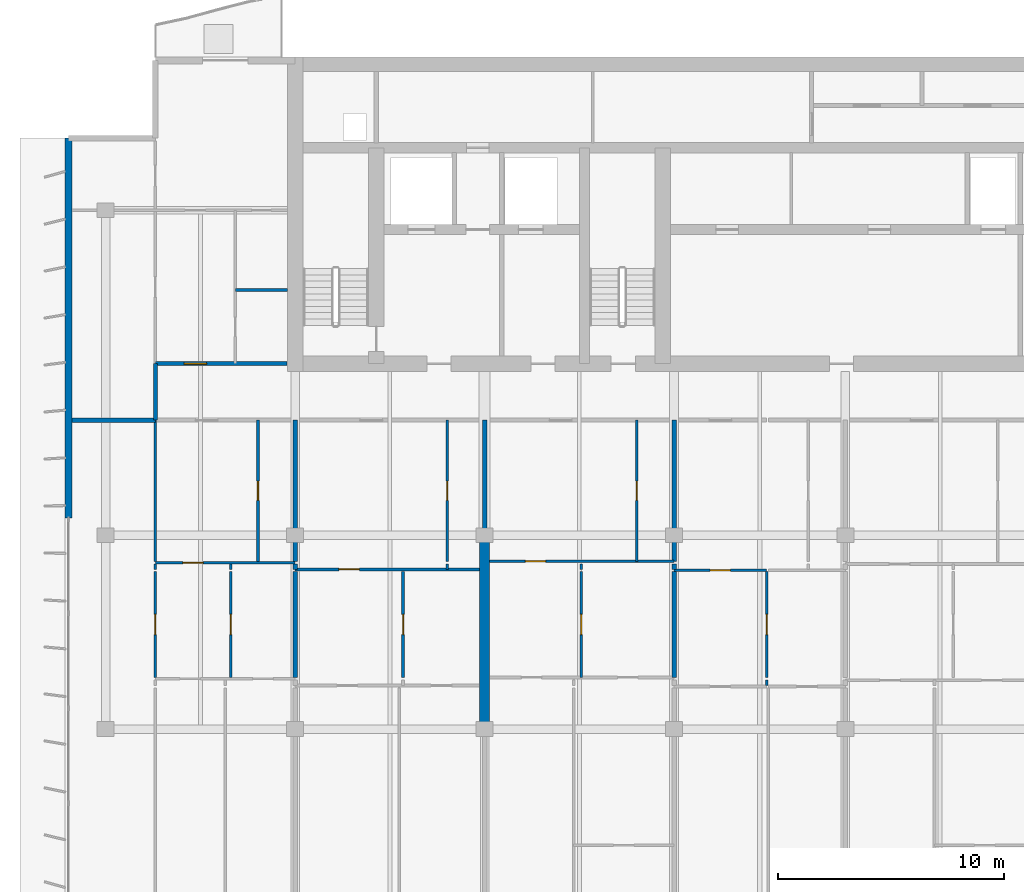
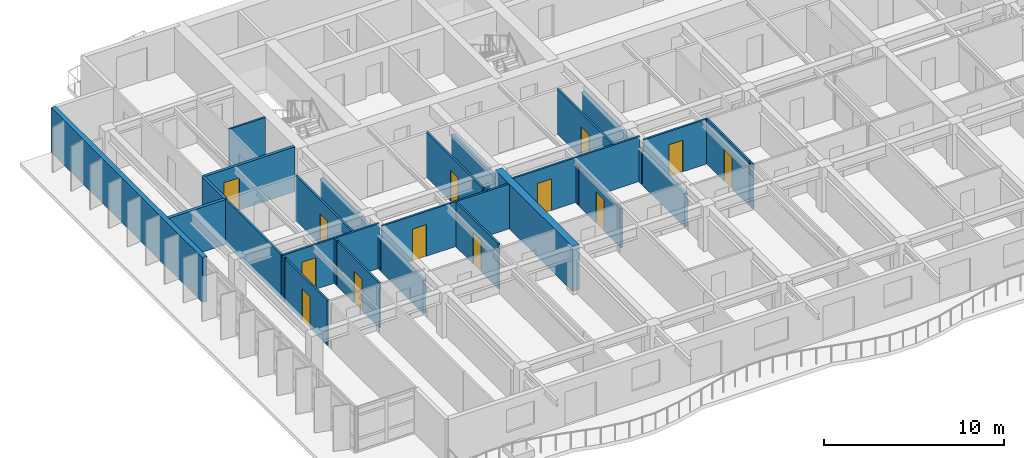
# One storey, part 7 of 17: 31 walls, 13 doors, 13 openings.
"""IFC4 building model written with IfcOpenShell, lengths in metres."""

from ifc_helpers import new_model, si_unit, direction, frame, frame_2d, origin, place, context, subcontext, project, spatial, rectangle, extrude, material, layer, layer_set, type_object, element, fill, save


model = new_model("IFC4")

# Units and contexts
model_context = context("Model", 3, precision=1e-05, world=origin(), true_north=direction((0.0, 1.0)))
body_context = subcontext(model_context, "Body", "Model", "MODEL_VIEW")
ifc_project = project(units=[si_unit("LENGTHUNIT", "METRE"), si_unit("AREAUNIT", "SQUARE_METRE"), si_unit("VOLUMEUNIT", "CUBIC_METRE"), si_unit("PLANEANGLEUNIT", "RADIAN"), si_unit("MASSUNIT", "GRAM", prefix="KILO")], contexts=[model_context])

# Site, building, storey
site_placement = place(None, origin())
site = spatial("IfcSite", under=ifc_project, at=site_placement, CompositionType="ELEMENT")
building_placement = place(site_placement, origin())
building = spatial("IfcBuilding", under=site, at=building_placement, Name="Caelmar Bay Residences", CompositionType="ELEMENT")
storey_placement = place(building_placement, frame((0.0, 0.0, 226.5)))
storey = spatial("IfcBuildingStorey", under=building, at=storey_placement, Name="L63", CompositionType="ELEMENT", Elevation=226.5)

# Walls
ifc_material_1 = material(Name="Concrete f'c 55 MPa (8,000 psi)", Category="concrete")
ifc_layer_1 = layer(ifc_material_1, 0.449951171875)
ifc_layer_set_1 = layer_set([ifc_layer_1], Name="Concrete f'c 55 MPa (8,000 psi)")
wall_type_1 = type_object("IfcWallType", Name="SW-XSLB-450", PredefinedType="SHEAR", material=ifc_layer_set_1)
wall_1_placement = place(storey_placement, frame((26.699951171875, 20.800048828125, 0.0), z_axis=(0.0, 0.0, 1.0), x_axis=(0.0, 1.0, 0.0)))
element("IfcWall", 1, at=wall_1_placement, inside=storey, type_object=wall_type_1, Name="L63 Transverse Cross-Slab Shear Wall W5", PredefinedType="SHEAR", context=body_context, shape_type="SweptSolid", body=[
    extrude(rectangle(XDim=8.599853515625, YDim=0.449951171875, at=frame_2d((4.2998046875, 0.0))), origin(), (0.0, 0.0, 1.0), 3.050048828125),
])
ifc_material_2 = material(Name="Double-stud acoustic fire-rated gypsum partition 180 mm")
ifc_layer_2 = layer(ifc_material_2, 0.179931640625)
ifc_layer_set_2 = layer_set([ifc_layer_2], Name="Double-stud acoustic fire-rated gypsum partition 180 mm")
wall_type_2 = type_object("IfcWallType", Name="W-COR-200", PredefinedType="PARTITIONING", material=ifc_layer_set_2)
wall_2_placement = place(storey_placement, frame((12.10009765625, 34.5048828125, 0.0), z_axis=(0.0, 0.0, 1.0), x_axis=(0.0, 1.0, 0.0)))
element("IfcWall", 2, at=wall_2_placement, inside=storey, type_object=wall_type_2, Name="L63 Partition Wall V006", PredefinedType="PARTITIONING", context=body_context, shape_type="SweptSolid", body=[
    extrude(rectangle(XDim=2.4951171875, YDim=0.179931640625, at=frame_2d((1.24755859375, 0.0))), origin(), (0.0, 0.0, 1.0), 3.050048828125),
])

# Wall, opening, door
wall_3_placement = place(storey_placement, frame((12.10009765625, 37.0, 0.0), z_axis=(0.0, 0.0, 1.0), x_axis=(1.0, 0.0, 0.0)))
wall_3 = element("IfcWall", 3, at=wall_3_placement, inside=storey, type_object=wall_type_2, Name="L63 Partition Wall H123", PredefinedType="PARTITIONING", context=body_context, shape_type="SweptSolid", body=[
    extrude(rectangle(XDim=5.844970703125, YDim=0.179931640625, at=frame_2d((2.92236328125, 0.0))), origin(), (0.0, 0.0, 1.0), 3.050048828125),
])
opening_1_placement = place(wall_3_placement, frame((1.27490234375, 0.0, 0.0)))
opening_1 = element("IfcOpeningElement", 4, at=opening_1_placement, cuts=wall_3, Name="Opening D-L63-167", PredefinedType="OPENING", context=body_context, shape_type="SweptSolid", body=[
    extrude(rectangle(XDim=1.0, YDim=2.199951171875, at=frame_2d((0.5, 1.10009765625))), frame((0.0, 0.099853515625, 0.0), z_axis=(0.0, -1.0, 0.0), x_axis=(1.0, 0.0, 0.0)), (0.0, 0.0, 1.0), 0.199951171875),
])
ifc_material_3 = material(Name="Fire-rated steel and walnut architectural door assembly", Category="steel")
ifc_layer_3 = layer(ifc_material_3, 0.050048828125)
ifc_layer_set_3 = layer_set([ifc_layer_3], Name="Fire-rated steel and walnut architectural door assembly")
door_type_1 = type_object("IfcDoorType", Name="D-UNIT-1000", OperationType="NOTDEFINED", PredefinedType="DOOR", material=ifc_layer_set_3)
door_1_placement = place(opening_1_placement, origin())
door_1 = element("IfcDoor", 5, at=door_1_placement, inside=storey, type_object=door_type_1, Name="L63 Residence WA Kitchen Door", OperationType="SINGLE_SWING_RIGHT", OverallHeight=2.199951171875, OverallWidth=1.0, PredefinedType="DOOR", context=body_context, shape_type="SweptSolid", body=[
    extrude(rectangle(XDim=1.0, YDim=2.199951171875, at=frame_2d((0.5, 1.10009765625))), frame((0.0, 0.02490234375, 0.0), z_axis=(0.0, -1.0, 0.0), x_axis=(1.0, 0.0, 0.0)), (0.0, 0.0, 1.0), 0.050048828125),
])
fill(opening_1, door_1)

# Wall
ifc_material_4 = material(Name="Precast concrete f'c 40 MPa (6,000 psi)", Category="concrete")
ifc_layer_4 = layer(ifc_material_4, 0.300048828125)
ifc_layer_set_4 = layer_set([ifc_layer_4], Name="Precast concrete f'c 40 MPa (6,000 psi)")
wall_type_3 = type_object("IfcWallType", Name="W-EXT-300", PredefinedType="STANDARD", material=ifc_layer_set_4)
wall_4_placement = place(storey_placement, frame((8.25, 30.14990234375, 0.0), z_axis=(0.0, 0.0, 1.0), x_axis=(0.0, 1.0, 0.0)))
element("IfcWall", 6, at=wall_4_placement, inside=storey, type_object=wall_type_3, Name="L63 West Rear Exterior Wall", PredefinedType="STANDARD", context=body_context, shape_type="SweptSolid", body=[
    extrude(rectangle(XDim=16.85009765625, YDim=0.300048828125, at=frame_2d((8.425048828125, 0.0))), origin(), (0.0, 0.0, 1.0), 3.050048828125),
])

# Wall, opening, door
ifc_material_5 = material(Name="Acoustic metal-stud gypsum partition 120 mm")
ifc_layer_5 = layer(ifc_material_5, 0.1201171875)
ifc_layer_set_5 = layer_set([ifc_layer_5], Name="Acoustic metal-stud gypsum partition 120 mm")
wall_type_4 = type_object("IfcWallType", Name="W-PRT-120", PredefinedType="PARTITIONING", material=ifc_layer_set_5)
wall_5_placement = place(storey_placement, frame((12.10009765625, 23.090087890625, 0.0), z_axis=(0.0, 0.0, 1.0), x_axis=(0.0, 1.0, 0.0)))
wall_5 = element("IfcWall", 7, at=wall_5_placement, inside=storey, type_object=wall_type_4, Name="L63 Partition Wall V003", PredefinedType="PARTITIONING", context=body_context, shape_type="SweptSolid", body=[
    extrude(rectangle(XDim=4.68994140625, YDim=0.1201171875, at=frame_2d((2.344970703125, 0.0))), origin(), (0.0, 0.0, 1.0), 3.050048828125),
])
opening_2_placement = place(wall_5_placement, frame((1.89501953125, 0.0, 0.0)))
opening_2 = element("IfcOpeningElement", 8, at=opening_2_placement, cuts=wall_5, Name="Opening D-L63-165", PredefinedType="OPENING", context=body_context, shape_type="SweptSolid", body=[
    extrude(rectangle(XDim=0.89990234375, YDim=2.14990234375, at=frame_2d((0.449951171875, 1.074951171875))), frame((0.0, 0.070068359375, 0.0), z_axis=(0.0, -1.0, 0.0), x_axis=(1.0, 0.0, 0.0)), (0.0, 0.0, 1.0), 0.14013671875),
])
ifc_material_6 = material(Name="Solid walnut timber interior door leaf and frame", Category="wood")
ifc_layer_6 = layer(ifc_material_6, 0.050048828125)
ifc_layer_set_6 = layer_set([ifc_layer_6], Name="Solid walnut timber interior door leaf and frame")
door_type_2 = type_object("IfcDoorType", Name="D-ROOM-900", OperationType="NOTDEFINED", PredefinedType="DOOR", material=ifc_layer_set_6)
door_2_placement = place(opening_2_placement, origin())
door_2 = element("IfcDoor", 9, at=door_2_placement, inside=storey, type_object=door_type_2, Name="L63 Residence 01 Penthouse West Salon Door", OperationType="SINGLE_SWING_RIGHT", OverallHeight=2.14990234375, OverallWidth=0.89990234375, PredefinedType="DOOR", context=body_context, shape_type="SweptSolid", body=[
    extrude(rectangle(XDim=0.89990234375, YDim=2.14990234375, at=frame_2d((0.449951171875, 1.074951171875))), frame((0.0, 0.02490234375, 0.0), z_axis=(0.0, -1.0, 0.0), x_axis=(1.0, 0.0, 0.0)), (0.0, 0.0, 1.0), 0.050048828125),
])
fill(opening_2, door_2)

# Walls
wall_6_placement = place(storey_placement, frame((12.10009765625, 27.8798828125, 0.0), z_axis=(0.0, 0.0, 1.0), x_axis=(0.0, 1.0, 0.0)))
element("IfcWall", 10, at=wall_6_placement, inside=storey, type_object=wall_type_4, Name="L63 Partition Wall V004", PredefinedType="PARTITIONING", context=body_context, shape_type="SweptSolid", body=[
    extrude(rectangle(XDim=0.240234375, YDim=0.1201171875, at=frame_2d((0.1201171875, 0.0))), origin(), (0.0, 0.0, 1.0), 3.050048828125),
])
wall_7_placement = place(storey_placement, frame((12.10009765625, 28.239990234375, 0.0), z_axis=(0.0, 0.0, 1.0), x_axis=(0.0, 1.0, 0.0)))
element("IfcWall", 11, at=wall_7_placement, inside=storey, type_object=wall_type_4, Name="L63 Partition Wall V005", PredefinedType="PARTITIONING", context=body_context, shape_type="SweptSolid", body=[
    extrude(rectangle(XDim=6.260009765625, YDim=0.1201171875, at=frame_2d((3.1298828125, 0.0))), origin(), (0.0, 0.0, 1.0), 3.050048828125),
])

# Wall, opening, door
wall_8_placement = place(storey_placement, frame((15.447998046875, 23.090087890625, 0.0), z_axis=(0.0, 0.0, 1.0), x_axis=(0.0, 1.0, 0.0)))
wall_8 = element("IfcWall", 12, at=wall_8_placement, inside=storey, type_object=wall_type_4, Name="L63 Partition Wall V011", PredefinedType="PARTITIONING", context=body_context, shape_type="SweptSolid", body=[
    extrude(rectangle(XDim=4.68994140625, YDim=0.1201171875, at=frame_2d((2.344970703125, 0.0))), origin(), (0.0, 0.0, 1.0), 3.050048828125),
])
opening_3_placement = place(wall_8_placement, frame((1.89501953125, 0.0, 0.0)))
opening_3 = element("IfcOpeningElement", 13, at=opening_3_placement, cuts=wall_8, Name="Opening D-L63-125", PredefinedType="OPENING", context=body_context, shape_type="SweptSolid", body=[
    extrude(rectangle(XDim=0.89990234375, YDim=2.14990234375, at=frame_2d((0.449951171875, 1.074951171875))), frame((0.0, 0.070068359375, 0.0), z_axis=(0.0, -1.0, 0.0), x_axis=(1.0, 0.0, 0.0)), (0.0, 0.0, 1.0), 0.14013671875),
])
door_3_placement = place(opening_3_placement, origin())
door_3 = element("IfcDoor", 14, at=door_3_placement, inside=storey, type_object=door_type_2, Name="L63 Residence 01 Study Door", OperationType="SINGLE_SWING_RIGHT", OverallHeight=2.14990234375, OverallWidth=0.89990234375, PredefinedType="DOOR", context=body_context, shape_type="SweptSolid", body=[
    extrude(rectangle(XDim=0.89990234375, YDim=2.14990234375, at=frame_2d((0.449951171875, 1.074951171875))), frame((0.0, 0.02490234375, 0.0), z_axis=(0.0, -1.0, 0.0), x_axis=(1.0, 0.0, 0.0)), (0.0, 0.0, 1.0), 0.050048828125),
])
fill(opening_3, door_3)

# Wall
wall_9_placement = place(storey_placement, frame((15.447998046875, 27.8798828125, 0.0), z_axis=(0.0, 0.0, 1.0), x_axis=(0.0, 1.0, 0.0)))
element("IfcWall", 15, at=wall_9_placement, inside=storey, type_object=wall_type_4, Name="L63 Partition Wall V012", PredefinedType="PARTITIONING", context=body_context, shape_type="SweptSolid", body=[
    extrude(rectangle(XDim=0.240234375, YDim=0.1201171875, at=frame_2d((0.1201171875, 0.0))), origin(), (0.0, 0.0, 1.0), 3.050048828125),
])

# Wall, opening, door
wall_10_placement = place(storey_placement, frame((16.64990234375, 28.239990234375, 0.0), z_axis=(0.0, 0.0, 1.0), x_axis=(0.0, 1.0, 0.0)))
wall_10 = element("IfcWall", 16, at=wall_10_placement, inside=storey, type_object=wall_type_4, Name="L63 Partition Wall V014", PredefinedType="PARTITIONING", context=body_context, shape_type="SweptSolid", body=[
    extrude(rectangle(XDim=6.260009765625, YDim=0.1201171875, at=frame_2d((3.1298828125, 0.0))), origin(), (0.0, 0.0, 1.0), 3.050048828125),
])
opening_4_placement = place(wall_10_placement, frame((2.705078125, 0.0, 0.0)))
opening_4 = element("IfcOpeningElement", 17, at=opening_4_placement, cuts=wall_10, Name="Opening D-L63-123", PredefinedType="OPENING", context=body_context, shape_type="SweptSolid", body=[
    extrude(rectangle(XDim=0.85009765625, YDim=2.10009765625, at=frame_2d((0.425048828125, 1.050048828125))), frame((0.0, 0.070068359375, 0.0), z_axis=(0.0, -1.0, 0.0), x_axis=(1.0, 0.0, 0.0)), (0.0, 0.0, 1.0), 0.14013671875),
])
ifc_layer_7 = layer(ifc_material_6, 0.050048828125)
ifc_layer_set_7 = layer_set([ifc_layer_7], Name="Solid walnut timber interior door leaf and frame")
door_type_3 = type_object("IfcDoorType", Name="D-BATH-850", OperationType="NOTDEFINED", PredefinedType="DOOR", material=ifc_layer_set_7)
door_4_placement = place(opening_4_placement, origin())
door_4 = element("IfcDoor", 18, at=door_4_placement, inside=storey, type_object=door_type_3, Name="L63 Residence 01 Bathroom Door", OperationType="SINGLE_SWING_RIGHT", OverallHeight=2.10009765625, OverallWidth=0.85009765625, PredefinedType="DOOR", context=body_context, shape_type="SweptSolid", body=[
    extrude(rectangle(XDim=0.85009765625, YDim=2.10009765625, at=frame_2d((0.425048828125, 1.050048828125))), frame((0.0, 0.02490234375, 0.0), z_axis=(0.0, -1.0, 0.0), x_axis=(1.0, 0.0, 0.0)), (0.0, 0.0, 1.0), 0.050048828125),
])
fill(opening_4, door_4)

wall_11_placement = place(storey_placement, frame((23.0859375, 23.090087890625, 0.0), z_axis=(0.0, 0.0, 1.0), x_axis=(0.0, 1.0, 0.0)))
wall_11 = element("IfcWall", 19, at=wall_11_placement, inside=storey, type_object=wall_type_4, Name="L63 Partition Wall V025", PredefinedType="PARTITIONING", context=body_context, shape_type="SweptSolid", body=[
    extrude(rectangle(XDim=4.68994140625, YDim=0.1201171875, at=frame_2d((2.344970703125, 0.0))), origin(), (0.0, 0.0, 1.0), 3.050048828125),
])
opening_5_placement = place(wall_11_placement, frame((1.89501953125, 0.0, 0.0)))
opening_5 = element("IfcOpeningElement", 20, at=opening_5_placement, cuts=wall_11, Name="Opening D-L63-131", PredefinedType="OPENING", context=body_context, shape_type="SweptSolid", body=[
    extrude(rectangle(XDim=0.89990234375, YDim=2.14990234375, at=frame_2d((0.449951171875, 1.074951171875))), frame((0.0, 0.070068359375, 0.0), z_axis=(0.0, -1.0, 0.0), x_axis=(1.0, 0.0, 0.0)), (0.0, 0.0, 1.0), 0.14013671875),
])
door_5_placement = place(opening_5_placement, origin())
door_5 = element("IfcDoor", 21, at=door_5_placement, inside=storey, type_object=door_type_2, Name="L63 Residence 02 Study Door", OperationType="SINGLE_SWING_RIGHT", OverallHeight=2.14990234375, OverallWidth=0.89990234375, PredefinedType="DOOR", context=body_context, shape_type="SweptSolid", body=[
    extrude(rectangle(XDim=0.89990234375, YDim=2.14990234375, at=frame_2d((0.449951171875, 1.074951171875))), frame((0.0, 0.02490234375, 0.0), z_axis=(0.0, -1.0, 0.0), x_axis=(1.0, 0.0, 0.0)), (0.0, 0.0, 1.0), 0.050048828125),
])
fill(opening_5, door_5)

# Wall
wall_12_placement = place(storey_placement, frame((25.050048828125, 27.8798828125, 0.0), z_axis=(0.0, 0.0, 1.0), x_axis=(0.0, 1.0, 0.0)))
element("IfcWall", 22, at=wall_12_placement, inside=storey, type_object=wall_type_4, Name="L63 Partition Wall V026", PredefinedType="PARTITIONING", context=body_context, shape_type="SweptSolid", body=[
    extrude(rectangle(XDim=0.240234375, YDim=0.1201171875, at=frame_2d((0.1201171875, 0.0))), origin(), (0.0, 0.0, 1.0), 3.050048828125),
])

# Wall, opening, door
wall_13_placement = place(storey_placement, frame((25.050048828125, 28.239990234375, 0.0), z_axis=(0.0, 0.0, 1.0), x_axis=(0.0, 1.0, 0.0)))
wall_13 = element("IfcWall", 23, at=wall_13_placement, inside=storey, type_object=wall_type_4, Name="L63 Partition Wall V027", PredefinedType="PARTITIONING", context=body_context, shape_type="SweptSolid", body=[
    extrude(rectangle(XDim=6.260009765625, YDim=0.1201171875, at=frame_2d((3.1298828125, 0.0))), origin(), (0.0, 0.0, 1.0), 3.050048828125),
])
opening_6_placement = place(wall_13_placement, frame((2.705078125, 0.0, 0.0)))
opening_6 = element("IfcOpeningElement", 24, at=opening_6_placement, cuts=wall_13, Name="Opening D-L63-129", PredefinedType="OPENING", context=body_context, shape_type="SweptSolid", body=[
    extrude(rectangle(XDim=0.85009765625, YDim=2.10009765625, at=frame_2d((0.425048828125, 1.050048828125))), frame((0.0, 0.070068359375, 0.0), z_axis=(0.0, -1.0, 0.0), x_axis=(1.0, 0.0, 0.0)), (0.0, 0.0, 1.0), 0.14013671875),
])
door_6_placement = place(opening_6_placement, origin())
door_6 = element("IfcDoor", 25, at=door_6_placement, inside=storey, type_object=door_type_3, Name="L63 Residence 02 Bathroom Door", OperationType="SINGLE_SWING_RIGHT", OverallHeight=2.10009765625, OverallWidth=0.85009765625, PredefinedType="DOOR", context=body_context, shape_type="SweptSolid", body=[
    extrude(rectangle(XDim=0.85009765625, YDim=2.10009765625, at=frame_2d((0.425048828125, 1.050048828125))), frame((0.0, 0.02490234375, 0.0), z_axis=(0.0, -1.0, 0.0), x_axis=(1.0, 0.0, 0.0)), (0.0, 0.0, 1.0), 0.050048828125),
])
fill(opening_6, door_6)

wall_14_placement = place(storey_placement, frame((30.986083984375, 23.090087890625, 0.0), z_axis=(0.0, 0.0, 1.0), x_axis=(0.0, 1.0, 0.0)))
wall_14 = element("IfcWall", 26, at=wall_14_placement, inside=storey, type_object=wall_type_4, Name="L63 Partition Wall V037", PredefinedType="PARTITIONING", context=body_context, shape_type="SweptSolid", body=[
    extrude(rectangle(XDim=4.68994140625, YDim=0.1201171875, at=frame_2d((2.344970703125, 0.0))), origin(), (0.0, 0.0, 1.0), 2.62890625),
])
opening_7_placement = place(wall_14_placement, frame((1.89501953125, 0.0, 0.0)))
opening_7 = element("IfcOpeningElement", 27, at=opening_7_placement, cuts=wall_14, Name="Opening D-L63-137", PredefinedType="OPENING", context=body_context, shape_type="SweptSolid", body=[
    extrude(rectangle(XDim=0.89990234375, YDim=2.14990234375, at=frame_2d((0.449951171875, 1.074951171875))), frame((0.0, 0.070068359375, 0.0), z_axis=(0.0, -1.0, 0.0), x_axis=(1.0, 0.0, 0.0)), (0.0, 0.0, 1.0), 0.14013671875),
])
door_7_placement = place(opening_7_placement, origin())
door_7 = element("IfcDoor", 28, at=door_7_placement, inside=storey, type_object=door_type_2, Name="L63 Residence 03 Study Door", OperationType="SINGLE_SWING_RIGHT", OverallHeight=2.14990234375, OverallWidth=0.89990234375, PredefinedType="DOOR", context=body_context, shape_type="SweptSolid", body=[
    extrude(rectangle(XDim=0.89990234375, YDim=2.14990234375, at=frame_2d((0.449951171875, 1.074951171875))), frame((0.0, 0.02490234375, 0.0), z_axis=(0.0, -1.0, 0.0), x_axis=(1.0, 0.0, 0.0)), (0.0, 0.0, 1.0), 0.050048828125),
])
fill(opening_7, door_7)

# Wall
wall_15_placement = place(storey_placement, frame((30.986083984375, 27.8798828125, 0.0), z_axis=(0.0, 0.0, 1.0), x_axis=(0.0, 1.0, 0.0)))
element("IfcWall", 29, at=wall_15_placement, inside=storey, type_object=wall_type_4, Name="L63 Partition Wall V038", PredefinedType="PARTITIONING", context=body_context, shape_type="SweptSolid", body=[
    extrude(rectangle(XDim=0.240234375, YDim=0.1201171875, at=frame_2d((0.1201171875, 0.0))), origin(), (0.0, 0.0, 1.0), 2.62890625),
])

# Wall, opening, door
wall_16_placement = place(storey_placement, frame((33.449951171875, 28.239990234375, 0.0), z_axis=(0.0, 0.0, 1.0), x_axis=(0.0, 1.0, 0.0)))
wall_16 = element("IfcWall", 30, at=wall_16_placement, inside=storey, type_object=wall_type_4, Name="L63 Partition Wall V040", PredefinedType="PARTITIONING", context=body_context, shape_type="SweptSolid", body=[
    extrude(rectangle(XDim=6.260009765625, YDim=0.1201171875, at=frame_2d((3.1298828125, 0.0))), origin(), (0.0, 0.0, 1.0), 3.050048828125),
])
opening_8_placement = place(wall_16_placement, frame((2.705078125, 0.0, 0.0)))
opening_8 = element("IfcOpeningElement", 31, at=opening_8_placement, cuts=wall_16, Name="Opening D-L63-135", PredefinedType="OPENING", context=body_context, shape_type="SweptSolid", body=[
    extrude(rectangle(XDim=0.85009765625, YDim=2.10009765625, at=frame_2d((0.425048828125, 1.050048828125))), frame((0.0, 0.070068359375, 0.0), z_axis=(0.0, -1.0, 0.0), x_axis=(1.0, 0.0, 0.0)), (0.0, 0.0, 1.0), 0.14013671875),
])
door_8_placement = place(opening_8_placement, origin())
door_8 = element("IfcDoor", 32, at=door_8_placement, inside=storey, type_object=door_type_3, Name="L63 Residence 03 Bathroom Door", OperationType="SINGLE_SWING_RIGHT", OverallHeight=2.10009765625, OverallWidth=0.85009765625, PredefinedType="DOOR", context=body_context, shape_type="SweptSolid", body=[
    extrude(rectangle(XDim=0.85009765625, YDim=2.10009765625, at=frame_2d((0.425048828125, 1.050048828125))), frame((0.0, 0.02490234375, 0.0), z_axis=(0.0, -1.0, 0.0), x_axis=(1.0, 0.0, 0.0)), (0.0, 0.0, 1.0), 0.050048828125),
])
fill(opening_8, door_8)

# Wall
wall_17_placement = place(storey_placement, frame((39.2041015625, 22.72998046875, 0.0), z_axis=(0.0, 0.0, 1.0), x_axis=(0.0, 1.0, 0.0)))
element("IfcWall", 33, at=wall_17_placement, inside=storey, type_object=wall_type_4, Name="L63 Partition Wall V047", PredefinedType="PARTITIONING", context=body_context, shape_type="SweptSolid", body=[
    extrude(rectangle(XDim=0.239990234375, YDim=0.1201171875, at=frame_2d((0.1201171875, 0.0))), origin(), (0.0, 0.0, 1.0), 3.050048828125),
])

# Wall, opening, door
wall_18_placement = place(storey_placement, frame((39.2041015625, 23.090087890625, 0.0), z_axis=(0.0, 0.0, 1.0), x_axis=(0.0, 1.0, 0.0)))
wall_18 = element("IfcWall", 34, at=wall_18_placement, inside=storey, type_object=wall_type_4, Name="L63 Partition Wall V048", PredefinedType="PARTITIONING", context=body_context, shape_type="SweptSolid", body=[
    extrude(rectangle(XDim=4.68994140625, YDim=0.1201171875, at=frame_2d((2.344970703125, 0.0))), origin(), (0.0, 0.0, 1.0), 3.050048828125),
])
opening_9_placement = place(wall_18_placement, frame((1.89501953125, 0.0, 0.0)))
opening_9 = element("IfcOpeningElement", 35, at=opening_9_placement, cuts=wall_18, Name="Opening D-L63-144", PredefinedType="OPENING", context=body_context, shape_type="SweptSolid", body=[
    extrude(rectangle(XDim=0.89990234375, YDim=2.14990234375, at=frame_2d((0.449951171875, 1.074951171875))), frame((0.0, 0.070068359375, 0.0), z_axis=(0.0, -1.0, 0.0), x_axis=(1.0, 0.0, 0.0)), (0.0, 0.0, 1.0), 0.14013671875),
])
door_9_placement = place(opening_9_placement, origin())
door_9 = element("IfcDoor", 36, at=door_9_placement, inside=storey, type_object=door_type_2, Name="L63 Residence 04 Study Door", OperationType="SINGLE_SWING_LEFT", OverallHeight=2.14990234375, OverallWidth=0.89990234375, PredefinedType="DOOR", context=body_context, shape_type="SweptSolid", body=[
    extrude(rectangle(XDim=0.89990234375, YDim=2.14990234375, at=frame_2d((0.449951171875, 1.074951171875))), frame((0.0, 0.02490234375, 0.0), z_axis=(0.0, -1.0, 0.0), x_axis=(1.0, 0.0, 0.0)), (0.0, 0.0, 1.0), 0.050048828125),
])
fill(opening_9, door_9)

wall_19_placement = place(storey_placement, frame((35.10009765625, 27.840087890625, 0.0), z_axis=(0.0, 0.0, 1.0), x_axis=(1.0, 0.0, 0.0)))
wall_19 = element("IfcWall", 37, at=wall_19_placement, inside=storey, type_object=wall_type_4, Name="L63 Partition Wall H112", PredefinedType="PARTITIONING", context=body_context, shape_type="SweptSolid", body=[
    extrude(rectangle(XDim=4.10400390625, YDim=0.1201171875, at=frame_2d((2.052001953125, 0.0))), origin(), (0.0, 0.0, 1.0), 3.050048828125),
])
opening_10_placement = place(wall_19_placement, frame((1.60205078125, 0.0, 0.0)))
opening_10 = element("IfcOpeningElement", 38, at=opening_10_placement, cuts=wall_19, Name="Opening D-L63-143", PredefinedType="OPENING", context=body_context, shape_type="SweptSolid", body=[
    extrude(rectangle(XDim=0.89990234375, YDim=2.14990234375, at=frame_2d((0.449951171875, 1.074951171875))), frame((0.0, 0.070068359375, 0.0), z_axis=(0.0, -1.0, 0.0), x_axis=(1.0, 0.0, 0.0)), (0.0, 0.0, 1.0), 0.14013671875),
])
door_10_placement = place(opening_10_placement, origin())
door_10 = element("IfcDoor", 39, at=door_10_placement, inside=storey, type_object=door_type_2, Name="L63 Residence 04 Kitchen Door", OperationType="SINGLE_SWING_RIGHT", OverallHeight=2.14990234375, OverallWidth=0.89990234375, PredefinedType="DOOR", context=body_context, shape_type="SweptSolid", body=[
    extrude(rectangle(XDim=0.89990234375, YDim=2.14990234375, at=frame_2d((0.449951171875, 1.074951171875))), frame((0.0, 0.02490234375, 0.0), z_axis=(0.0, -1.0, 0.0), x_axis=(1.0, 0.0, 0.0)), (0.0, 0.0, 1.0), 0.050048828125),
])
fill(opening_10, door_10)

wall_20_placement = place(storey_placement, frame((18.300048828125, 27.8798828125, 0.0), z_axis=(0.0, 0.0, 1.0), x_axis=(1.0, 0.0, 0.0)))
wall_20 = element("IfcWall", 40, at=wall_20_placement, inside=storey, type_object=wall_type_4, Name="L63 Partition Wall H114", PredefinedType="PARTITIONING", context=body_context, shape_type="SweptSolid", body=[
    extrude(rectangle(XDim=8.179931640625, YDim=0.1201171875, at=frame_2d((4.08984375, 0.0))), origin(), (0.0, 0.0, 1.0), 3.050048828125),
])
opening_11_placement = place(wall_20_placement, frame((1.943115234375, 0.0, 0.0)))
opening_11 = element("IfcOpeningElement", 41, at=opening_11_placement, cuts=wall_20, Name="Opening D-L63-130", PredefinedType="OPENING", context=body_context, shape_type="SweptSolid", body=[
    extrude(rectangle(XDim=0.89990234375, YDim=2.14990234375, at=frame_2d((0.449951171875, 1.074951171875))), frame((0.0, 0.070068359375, 0.0), z_axis=(0.0, -1.0, 0.0), x_axis=(1.0, 0.0, 0.0)), (0.0, 0.0, 1.0), 0.14013671875),
])
door_11_placement = place(opening_11_placement, origin())
door_11 = element("IfcDoor", 42, at=door_11_placement, inside=storey, type_object=door_type_2, Name="L63 Residence 02 Kitchen Door", OperationType="SINGLE_SWING_LEFT", OverallHeight=2.14990234375, OverallWidth=0.89990234375, PredefinedType="DOOR", context=body_context, shape_type="SweptSolid", body=[
    extrude(rectangle(XDim=0.89990234375, YDim=2.14990234375, at=frame_2d((0.449951171875, 1.074951171875))), frame((0.0, 0.02490234375, 0.0), z_axis=(0.0, -1.0, 0.0), x_axis=(1.0, 0.0, 0.0)), (0.0, 0.0, 1.0), 0.050048828125),
])
fill(opening_11, door_11)

wall_21_placement = place(storey_placement, frame((12.10009765625, 28.179931640625, 0.0), z_axis=(0.0, 0.0, 1.0), x_axis=(1.0, 0.0, 0.0)))
wall_21 = element("IfcWall", 43, at=wall_21_placement, inside=storey, type_object=wall_type_4, Name="L63 Partition Wall H116", PredefinedType="PARTITIONING", context=body_context, shape_type="SweptSolid", body=[
    extrude(rectangle(XDim=6.199951171875, YDim=0.1201171875, at=frame_2d((3.10009765625, 0.0))), origin(), (0.0, 0.0, 1.0), 3.050048828125),
])
opening_12_placement = place(wall_21_placement, frame((1.22412109375, 0.0, 0.0)))
opening_12 = element("IfcOpeningElement", 44, at=opening_12_placement, cuts=wall_21, Name="Opening D-L63-124", PredefinedType="OPENING", context=body_context, shape_type="SweptSolid", body=[
    extrude(rectangle(XDim=0.89990234375, YDim=2.14990234375, at=frame_2d((0.449951171875, 1.074951171875))), frame((0.0, 0.070068359375, 0.0), z_axis=(0.0, -1.0, 0.0), x_axis=(1.0, 0.0, 0.0)), (0.0, 0.0, 1.0), 0.14013671875),
])
door_12_placement = place(opening_12_placement, origin())
door_12 = element("IfcDoor", 45, at=door_12_placement, inside=storey, type_object=door_type_2, Name="L63 Residence 01 Kitchen Door", OperationType="SINGLE_SWING_LEFT", OverallHeight=2.14990234375, OverallWidth=0.89990234375, PredefinedType="DOOR", context=body_context, shape_type="SweptSolid", body=[
    extrude(rectangle(XDim=0.89990234375, YDim=2.14990234375, at=frame_2d((0.449951171875, 1.074951171875))), frame((0.0, 0.02490234375, 0.0), z_axis=(0.0, -1.0, 0.0), x_axis=(1.0, 0.0, 0.0)), (0.0, 0.0, 1.0), 0.050048828125),
])
fill(opening_12, door_12)

wall_22_placement = place(storey_placement, frame((26.919921875, 28.239990234375, 0.0), z_axis=(0.0, 0.0, 1.0), x_axis=(1.0, 0.0, 0.0)))
wall_22 = element("IfcWall", 46, at=wall_22_placement, inside=storey, type_object=wall_type_4, Name="L63 Partition Wall H118", PredefinedType="PARTITIONING", context=body_context, shape_type="SweptSolid", body=[
    extrude(rectangle(XDim=8.18017578125, YDim=0.1201171875, at=frame_2d((4.090087890625, 0.0))), origin(), (0.0, 0.0, 1.0), 3.050048828125),
])
opening_13_placement = place(wall_22_placement, frame((1.5830078125, 0.0, 0.0)))
opening_13 = element("IfcOpeningElement", 47, at=opening_13_placement, cuts=wall_22, Name="Opening D-L63-136", PredefinedType="OPENING", context=body_context, shape_type="SweptSolid", body=[
    extrude(rectangle(XDim=0.89990234375, YDim=2.14990234375, at=frame_2d((0.449951171875, 1.074951171875))), frame((0.0, 0.070068359375, 0.0), z_axis=(0.0, -1.0, 0.0), x_axis=(1.0, 0.0, 0.0)), (0.0, 0.0, 1.0), 0.14013671875),
])
door_13_placement = place(opening_13_placement, origin())
door_13 = element("IfcDoor", 48, at=door_13_placement, inside=storey, type_object=door_type_2, Name="L63 Residence 03 Kitchen Door", OperationType="SINGLE_SWING_LEFT", OverallHeight=2.14990234375, OverallWidth=0.89990234375, PredefinedType="DOOR", context=body_context, shape_type="SweptSolid", body=[
    extrude(rectangle(XDim=0.89990234375, YDim=2.14990234375, at=frame_2d((0.449951171875, 1.074951171875))), frame((0.0, 0.02490234375, 0.0), z_axis=(0.0, -1.0, 0.0), x_axis=(1.0, 0.0, 0.0)), (0.0, 0.0, 1.0), 0.050048828125),
])
fill(opening_13, door_13)

# Walls
wall_23_placement = place(storey_placement, frame((15.64990234375, 40.263916015625, 0.0), z_axis=(0.0, 0.0, 1.0), x_axis=(1.0, 0.0, 0.0)))
element("IfcWall", 49, at=wall_23_placement, inside=storey, type_object=wall_type_4, Name="L63 Partition Wall H125", PredefinedType="PARTITIONING", context=body_context, shape_type="SweptSolid", body=[
    extrude(rectangle(XDim=2.30517578125, YDim=0.1201171875, at=frame_2d((1.152587890625, 0.0))), origin(), (0.0, 0.0, 1.0), 3.050048828125),
])
ifc_material_7 = material(Name="Acoustic twin-stud fire-rated inter-tenancy partition 200 mm")
ifc_layer_8 = layer(ifc_material_7, 0.199951171875)
ifc_layer_set_8 = layer_set([ifc_layer_8], Name="Acoustic twin-stud fire-rated inter-tenancy partition 200 mm")
wall_type_5 = type_object("IfcWallType", Name="W-PTY-200", PredefinedType="PARTITIONING", material=ifc_layer_set_8)
wall_24_placement = place(storey_placement, frame((18.300048828125, 23.090087890625, 0.0), z_axis=(0.0, 0.0, 1.0), x_axis=(0.0, 1.0, 0.0)))
element("IfcWall", 50, at=wall_24_placement, inside=storey, type_object=wall_type_5, Name="L63 Partition Wall V018", PredefinedType="PARTITIONING", context=body_context, shape_type="SweptSolid", body=[
    extrude(rectangle(XDim=4.68994140625, YDim=0.199951171875, at=frame_2d((2.344970703125, 0.0))), origin(), (0.0, 0.0, 1.0), 2.262939453125),
])
wall_25_placement = place(storey_placement, frame((18.300048828125, 27.8798828125, 0.0), z_axis=(0.0, 0.0, 1.0), x_axis=(0.0, 1.0, 0.0)))
element("IfcWall", 51, at=wall_25_placement, inside=storey, type_object=wall_type_5, Name="L63 Partition Wall V019", PredefinedType="PARTITIONING", context=body_context, shape_type="SweptSolid", body=[
    extrude(rectangle(XDim=0.240234375, YDim=0.199951171875, at=frame_2d((0.1201171875, 0.0))), origin(), (0.0, 0.0, 1.0), 2.262939453125),
])
wall_26_placement = place(storey_placement, frame((18.300048828125, 28.239990234375, 0.0), z_axis=(0.0, 0.0, 1.0), x_axis=(0.0, 1.0, 0.0)))
element("IfcWall", 52, at=wall_26_placement, inside=storey, type_object=wall_type_5, Name="L63 Partition Wall V020", PredefinedType="PARTITIONING", context=body_context, shape_type="SweptSolid", body=[
    extrude(rectangle(XDim=6.260009765625, YDim=0.199951171875, at=frame_2d((3.1298828125, 0.0))), origin(), (0.0, 0.0, 1.0), 2.262939453125),
])
wall_27_placement = place(storey_placement, frame((26.699951171875, 29.405029296875, 0.0), z_axis=(0.0, 0.0, 1.0), x_axis=(0.0, 1.0, 0.0)))
element("IfcWall", 53, at=wall_27_placement, inside=storey, type_object=wall_type_5, Name="L63 Partition Wall V031", PredefinedType="PARTITIONING", context=body_context, shape_type="SweptSolid", body=[
    extrude(rectangle(XDim=5.094970703125, YDim=0.199951171875, at=frame_2d((2.54736328125, 0.0))), origin(), (0.0, 0.0, 1.0), 2.3349609375),
])
wall_28_placement = place(storey_placement, frame((35.10009765625, 23.090087890625, 0.0), z_axis=(0.0, 0.0, 1.0), x_axis=(0.0, 1.0, 0.0)))
element("IfcWall", 54, at=wall_28_placement, inside=storey, type_object=wall_type_5, Name="L63 Partition Wall V044", PredefinedType="PARTITIONING", context=body_context, shape_type="SweptSolid", body=[
    extrude(rectangle(XDim=4.68994140625, YDim=0.199951171875, at=frame_2d((2.344970703125, 0.0))), origin(), (0.0, 0.0, 1.0), 2.262939453125),
])
wall_29_placement = place(storey_placement, frame((35.10009765625, 27.8798828125, 0.0), z_axis=(0.0, 0.0, 1.0), x_axis=(0.0, 1.0, 0.0)))
element("IfcWall", 55, at=wall_29_placement, inside=storey, type_object=wall_type_5, Name="L63 Partition Wall V045", PredefinedType="PARTITIONING", context=body_context, shape_type="SweptSolid", body=[
    extrude(rectangle(XDim=0.240234375, YDim=0.199951171875, at=frame_2d((0.1201171875, 0.0))), origin(), (0.0, 0.0, 1.0), 2.262939453125),
])
wall_30_placement = place(storey_placement, frame((35.10009765625, 28.239990234375, 0.0), z_axis=(0.0, 0.0, 1.0), x_axis=(0.0, 1.0, 0.0)))
element("IfcWall", 56, at=wall_30_placement, inside=storey, type_object=wall_type_5, Name="L63 Partition Wall V046", PredefinedType="PARTITIONING", context=body_context, shape_type="SweptSolid", body=[
    extrude(rectangle(XDim=6.260009765625, YDim=0.199951171875, at=frame_2d((3.1298828125, 0.0))), origin(), (0.0, 0.0, 1.0), 2.262939453125),
])
wall_31_placement = place(storey_placement, frame((8.39501953125, 34.5, 0.0), z_axis=(0.0, 0.0, 1.0), x_axis=(1.0, 0.0, 0.0)))
element("IfcWall", 57, at=wall_31_placement, inside=storey, type_object=wall_type_5, Name="L63 Partition Wall H119", PredefinedType="PARTITIONING", context=body_context, shape_type="SweptSolid", body=[
    extrude(rectangle(XDim=3.705078125, YDim=0.199951171875, at=frame_2d((1.8525390625, 0.0))), origin(), (0.0, 0.0, 1.0), 3.050048828125),
])

save(model, "model.ifc")
